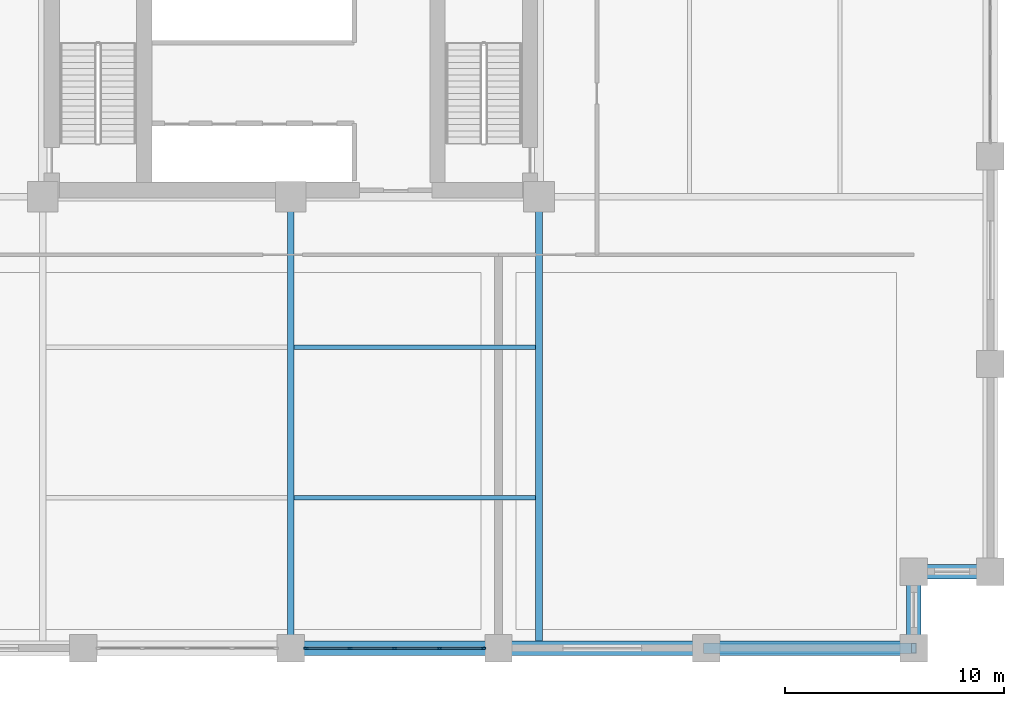
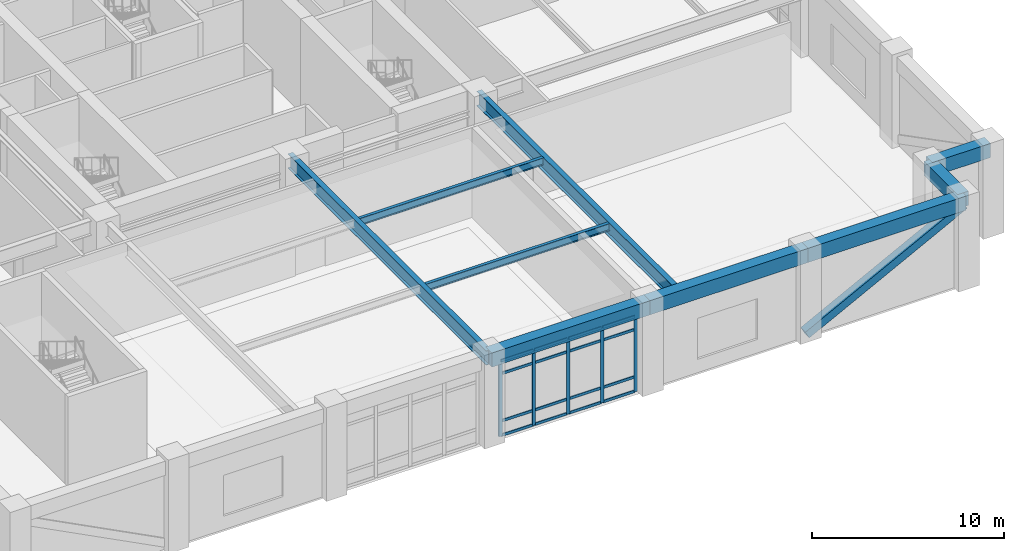
# One storey, part 4 of 21: 22 members, 9 beams, 1 element without a shape of its own.
"""IFC4 building model written with IfcOpenShell, lengths in metres."""

import ifcopenshell
import ifcopenshell.guid

model = None  # the IFC model being written
_history = None  # IfcOwnerHistory: only IFC2X3 demands one
_inside = {}  # id of a spatial element -> (the spatial element, [elements in it])
_under = {}  # id of a project, library or spatial element -> (it, [spatial elements below it])
_declared = {}  # id of a project -> (the project, [libraries it declares])
_typed = {}  # id of a type object -> (the type object, [elements of that type])
_made_of = {}  # id of a material, layer set ... -> (it, [elements and type objects made of it])


def new_model(schema):
    """Start an empty IFC model of exactly this schema.

    Asked for "IFC4X3", IfcOpenShell would pick the latest addendum, in which some entities
    have other attributes; the version numbers below select the first issue.
    IFC2X3 requires an IfcOwnerHistory on every rooted entity: one is made here for all.
    """
    global model, _history
    if schema == "IFC4X3":
        model = ifcopenshell.file(schema_version=(4, 3, 0, 0))
    else:
        model = ifcopenshell.file(schema=schema)
    _inside.clear()
    _under.clear()
    _declared.clear()
    _typed.clear()
    _made_of.clear()
    _history = None
    if model.schema == "IFC2X3":
        org = make("IfcOrganization", Name="unknown")
        user = make(
            "IfcPersonAndOrganization",
            ThePerson=make("IfcPerson", FamilyName="unknown"),
            TheOrganization=org,
        )
        app = make(
            "IfcApplication",
            ApplicationDeveloper=org,
            Version="unknown",
            ApplicationFullName="unknown",
            ApplicationIdentifier="unknown",
        )
        _history = make(
            "IfcOwnerHistory",
            OwningUser=user,
            OwningApplication=app,
            ChangeAction="ADDED",
            CreationDate=0,
        )
    return model


def make(cls, **values):
    """One entity of the class cls with the attributes given. An attribute that is None is left unset."""
    return model.create_entity(
        cls, **{name: value for name, value in values.items() if value is not None}
    )


def rooted(cls, **values):
    """An entity with a GlobalId (a new one), such as an element, a storey or a relation."""
    return make(cls, GlobalId=ifcopenshell.guid.new(), OwnerHistory=_history, **values)


def si_unit(unit_type, name, prefix=None):
    """IfcSIUnit, for example si_unit("LENGTHUNIT", "METRE", prefix="MILLI")."""
    return make("IfcSIUnit", UnitType=unit_type, Prefix=prefix, Name=name)


def assignment(units):
    """IfcUnitAssignment: the units of a project."""
    return None if units is None else make("IfcUnitAssignment", Units=units)


def point(xyz):
    """IfcCartesianPoint."""
    return None if xyz is None else make("IfcCartesianPoint", Coordinates=xyz)


def direction(xyz):
    """IfcDirection."""
    return None if xyz is None else make("IfcDirection", DirectionRatios=xyz)


def frame(location, z_axis=None, x_axis=None):
    """IfcAxis2Placement3D, a coordinate frame: its origin and axes. An axis left out is left unset."""
    return make(
        "IfcAxis2Placement3D",
        Location=point(location),
        Axis=direction(z_axis),
        RefDirection=direction(x_axis),
    )


def frame_2d(location, x_axis=None):
    """IfcAxis2Placement2D, a coordinate frame in the plane: its origin and x axis."""
    return make(
        "IfcAxis2Placement2D", Location=point(location), RefDirection=direction(x_axis)
    )


def origin():
    """The frame at (0, 0, 0) with its axes left unset."""
    return frame((0.0, 0.0, 0.0))


def origin_2d():
    """The frame at (0, 0) in the plane with its x axis left unset."""
    return frame_2d((0.0, 0.0))


def place(relative_to, where):
    """IfcLocalPlacement: puts the frame where relative to a parent placement (None: the world)."""
    return make(
        "IfcLocalPlacement", PlacementRelTo=relative_to, RelativePlacement=where
    )


def context(
    kind, dimensions, precision=None, world=None, true_north=None, identifier=None
):
    """IfcGeometricRepresentationContext, for example the 3D "Model" context."""
    return make(
        "IfcGeometricRepresentationContext",
        ContextIdentifier=identifier,
        ContextType=kind,
        CoordinateSpaceDimension=dimensions,
        Precision=precision,
        WorldCoordinateSystem=world,
        TrueNorth=true_north,
    )


def subcontext(parent, identifier, kind, view, scale=None):
    """IfcGeometricRepresentationSubContext, for example "Body" below "Model"."""
    return make(
        "IfcGeometricRepresentationSubContext",
        ContextIdentifier=identifier,
        ContextType=kind,
        ParentContext=parent,
        TargetScale=scale,
        TargetView=view,
    )


def project(units=None, contexts=None):
    """IfcProject with its units and contexts."""
    return rooted(
        "IfcProject",
        Name="project",
        RepresentationContexts=contexts,
        UnitsInContext=assignment(units),
    )


def spatial(cls, under=None, at=None, **own):
    """A site, building, storey or space (cls), placed at a placement, below another one or the project."""
    s = rooted(cls, ObjectPlacement=at, **own)
    if under is not None:
        _under.setdefault(under.id(), (under, []))[1].append(s)
    return s


def profile(cls, at=None, kind="AREA", **sizes):
    """A parametric profile (cls). Its sizes go by their IFC names, for example OverallWidth=200.0."""
    return make(cls, ProfileType=kind, Position=at, **sizes)


def rectangle(**sizes):
    """IfcRectangleProfileDef."""
    return profile("IfcRectangleProfileDef", **sizes)


def hollow_rectangle(**sizes):
    """IfcRectangleHollowProfileDef."""
    return profile("IfcRectangleHollowProfileDef", **sizes)


def i_section(**sizes):
    """IfcIShapeProfileDef."""
    return profile("IfcIShapeProfileDef", **sizes)


def extrude(swept, where, along, depth):
    """IfcExtrudedAreaSolid: the profile swept, set in the frame where, extruded along a direction by depth."""
    return make(
        "IfcExtrudedAreaSolid",
        SweptArea=swept,
        Position=where,
        ExtrudedDirection=direction(along),
        Depth=depth,
    )


def shape(context_of_items, identifier, shape_type, items):
    """IfcShapeRepresentation: the items that make up one representation, for example the "Body"."""
    return make(
        "IfcShapeRepresentation",
        ContextOfItems=context_of_items,
        RepresentationIdentifier=identifier,
        RepresentationType=shape_type,
        Items=items,
    )


def material(Name=None, Category=None):
    """IfcMaterial."""
    return make("IfcMaterial", Name=Name, Category=Category)


def layer(
    of_material, thickness, ventilated=None, Name=None, Category=None, Priority=None
):
    """IfcMaterialLayer: one layer of a wall or slab, of a material (None: an air gap)."""
    return make(
        "IfcMaterialLayer",
        Material=of_material,
        LayerThickness=thickness,
        IsVentilated=ventilated,
        Name=Name,
        Category=Category,
        Priority=Priority,
    )


def layer_set(layers, Name=None):
    """IfcMaterialLayerSet."""
    return make("IfcMaterialLayerSet", MaterialLayers=layers, LayerSetName=Name)


def material_profile(
    of_material, cross_section, Name=None, Category=None, Priority=None
):
    """IfcMaterialProfile: a cross section and its material."""
    return make(
        "IfcMaterialProfile",
        Name=Name,
        Material=of_material,
        Profile=cross_section,
        Priority=Priority,
        Category=Category,
    )


def profile_set(profiles, Name=None, composite=None):
    """IfcMaterialProfileSet."""
    return make(
        "IfcMaterialProfileSet",
        Name=Name,
        MaterialProfiles=profiles,
        CompositeProfile=composite,
    )


def made_of(thing, what):
    """Note that an element or type object is made of a material, layer set ...; save() writes the relation."""
    if what is not None:
        _made_of.setdefault(what.id(), (what, []))[1].append(thing)
    return thing


def type_object(cls, material=None, **own):
    """A type object (cls), such as IfcWallType, which elements share."""
    return made_of(rooted(cls, **own), material)


def element(
    cls,
    number,
    at=None,
    inside=None,
    cuts=None,
    type_object=None,
    material=None,
    context=None,
    identifier="Body",
    shape_type=None,
    held_by="IfcProductDefinitionShape",
    body=None,
    shapes=None,
    **own,
):
    """One element of the class cls, such as IfcWall. Its Tag is "e" and its number.

    at: its placement. inside: the storey or other place that contains it. cuts: it is an
    opening in that element (IfcRelVoidsElement). A single representation is given by context,
    identifier, shape_type and body (its items); several are given by shapes. held_by: the class
    of the entity that holds the representations. save() writes the other relations.
    """
    e = rooted(cls, Tag="e%d" % number, ObjectPlacement=at, **own)
    if body is not None:
        shapes = [shape(context, identifier, shape_type, body)]
    if shapes is not None:
        e.Representation = make(held_by, Representations=shapes)
    if inside is not None:
        _inside.setdefault(inside.id(), (inside, []))[1].append(e)
    if cuts is not None:
        rooted(
            "IfcRelVoidsElement", RelatingBuildingElement=cuts, RelatedOpeningElement=e
        )
    if type_object is not None:
        _typed.setdefault(type_object.id(), (type_object, []))[1].append(e)
    return made_of(e, material)


def aggregate(whole, parts):
    """IfcRelAggregates: a whole, such as a stair, and the parts it consists of."""
    return rooted("IfcRelAggregates", RelatingObject=whole, RelatedObjects=parts)


def save(model, path):
    """Write the relations noted so far, then the file.

    IfcRelAggregates (storeys below a building ...), IfcRelContainedInSpatialStructure (elements
    in a storey), IfcRelDefinesByType, IfcRelAssociatesMaterial and IfcRelDeclares: one each for
    every whole, place, type object, material and project.
    """
    for whole, parts in _under.values():
        aggregate(whole, parts)
    for where, things in _inside.values():
        rooted(
            "IfcRelContainedInSpatialStructure",
            RelatedElements=things,
            RelatingStructure=where,
        )
    for kind, things in _typed.values():
        rooted("IfcRelDefinesByType", RelatedObjects=things, RelatingType=kind)
    for what, things in _made_of.values():
        rooted("IfcRelAssociatesMaterial", RelatedObjects=things, RelatingMaterial=what)
    for by, libraries in _declared.values():
        rooted("IfcRelDeclares", RelatingContext=by, RelatedDefinitions=libraries)
    model.write(path)


model = new_model("IFC4")

# Units and contexts
model_context = context("Model", 3, precision=1e-05, world=origin(), true_north=direction((0.0, 1.0)))
body_context = subcontext(model_context, "Body", "Model", "MODEL_VIEW")
ifc_project = project(units=[si_unit("LENGTHUNIT", "METRE"), si_unit("AREAUNIT", "SQUARE_METRE"), si_unit("VOLUMEUNIT", "CUBIC_METRE"), si_unit("PLANEANGLEUNIT", "RADIAN"), si_unit("MASSUNIT", "GRAM", prefix="KILO")], contexts=[model_context])

# Site, building, storey
site_placement = place(None, origin())
site = spatial("IfcSite", under=ifc_project, at=site_placement, CompositionType="ELEMENT")
building_placement = place(site_placement, origin())
building = spatial("IfcBuilding", under=site, at=building_placement, Name="Nhamokura Convention Tower", CompositionType="ELEMENT")
storey_placement = place(building_placement, frame((0.0, 0.0, 17.85009765625)))
storey = spatial("IfcBuildingStorey", under=building, at=storey_placement, Name="L03", CompositionType="ELEMENT", Elevation=17.85009765625)

# Curtain wall, members
ifc_material_1 = material(Name="Anodised bronze aluminium AA6063-T6", Category="aluminium")
ifc_layer = layer(ifc_material_1, 0.199951171875)
ifc_layer_set = layer_set([ifc_layer], Name="CWSystem_ConventionFoyer")
curtain_wall_type = type_object("IfcCurtainWallType", Name="CWSystem_ConventionFoyer", PredefinedType="NOTDEFINED", material=ifc_layer_set)
curtain_wall_placement = place(storey_placement, origin())
curtain_wall = element("IfcCurtainWall", 1, at=curtain_wall_placement, inside=storey, type_object=curtain_wall_type, Name="L03 Curtain Wall ENV-L03-CW-S3", PredefinedType="NOTDEFINED")
ifc_material_2 = material(Name="Anodised bronze aluminium AA6063-T6", Category="aluminium")
ifc_material_profile_1 = material_profile(ifc_material_2, rectangle(XDim=0.074951171875, YDim=0.199951171875, at=origin_2d()))
ifc_profile_set_1 = profile_set([ifc_material_profile_1], Name="Anodised bronze aluminium AA6063-T6")
member_type_1 = type_object("IfcMemberType", Name="CWMullion_2", PredefinedType="MULLION", material=ifc_profile_set_1)
member_1_placement = place(storey_placement, frame((40.8125, 0.0, 0.0), z_axis=(0.0, 0.0, 1.0), x_axis=(0.0, -1.0, 0.0)))
member_1 = element("IfcMember", 2, at=member_1_placement, type_object=member_type_1, Name="CW-02 mullion 1", PredefinedType="MULLION", context=body_context, shape_type="SweptSolid", body=[
    extrude(rectangle(XDim=0.074951171875, YDim=0.199951171875, at=origin_2d()), origin(), (0.0, 0.0, 1.0), 4.809814453125),
])
member_2_placement = place(storey_placement, frame((38.800048828125, 0.0, 0.0), z_axis=(0.0, 0.0, 1.0), x_axis=(0.0, -1.0, 0.0)))
member_2 = element("IfcMember", 3, at=member_2_placement, type_object=member_type_1, Name="CW-02 mullion 2", PredefinedType="MULLION", context=body_context, shape_type="SweptSolid", body=[
    extrude(rectangle(XDim=0.074951171875, YDim=0.199951171875, at=origin_2d()), origin(), (0.0, 0.0, 1.0), 4.809814453125),
])
member_3_placement = place(storey_placement, frame((36.75, 0.0, 0.0), z_axis=(0.0, 0.0, 1.0), x_axis=(0.0, -1.0, 0.0)))
member_3 = element("IfcMember", 4, at=member_3_placement, type_object=member_type_1, Name="CW-02 mullion 3", PredefinedType="MULLION", context=body_context, shape_type="SweptSolid", body=[
    extrude(rectangle(XDim=0.074951171875, YDim=0.199951171875, at=origin_2d()), origin(), (0.0, 0.0, 1.0), 4.809814453125),
])
member_4_placement = place(storey_placement, frame((34.699951171875, 0.0, 0.0), z_axis=(0.0, 0.0, 1.0), x_axis=(0.0, -1.0, 0.0)))
member_4 = element("IfcMember", 5, at=member_4_placement, type_object=member_type_1, Name="CW-02 mullion 4", PredefinedType="MULLION", context=body_context, shape_type="SweptSolid", body=[
    extrude(rectangle(XDim=0.074951171875, YDim=0.199951171875, at=origin_2d()), origin(), (0.0, 0.0, 1.0), 4.809814453125),
])
member_5_placement = place(storey_placement, frame((32.6875, 0.0, 0.0), z_axis=(0.0, 0.0, 1.0), x_axis=(0.0, -1.0, 0.0)))
member_5 = element("IfcMember", 6, at=member_5_placement, type_object=member_type_1, Name="CW-02 mullion 5", PredefinedType="MULLION", context=body_context, shape_type="SweptSolid", body=[
    extrude(rectangle(XDim=0.074951171875, YDim=0.199951171875, at=origin_2d()), origin(), (0.0, 0.0, 1.0), 4.809814453125),
])
ifc_material_3 = material(Name="Anodised bronze aluminium AA6063-T6", Category="aluminium")
ifc_material_profile_2 = material_profile(ifc_material_3, rectangle(XDim=0.074951171875, YDim=0.169921875, at=origin_2d()))
ifc_profile_set_2 = profile_set([ifc_material_profile_2], Name="Anodised bronze aluminium AA6063-T6")
member_type_2 = type_object("IfcMemberType", Name="CWTransom_2", PredefinedType="USERDEFINED", material=ifc_profile_set_2)
member_6_placement = place(storey_placement, frame((40.77490234375, 0.0, 0.037353515625), z_axis=(-1.0, 0.0, 0.0), x_axis=(0.0, -1.0, 0.0)))
member_6 = element("IfcMember", 7, at=member_6_placement, type_object=member_type_2, Name="CW-02 transom 1.1", ObjectType="TRANSOM", PredefinedType="USERDEFINED", context=body_context, shape_type="SweptSolid", body=[
    extrude(rectangle(XDim=0.074951171875, YDim=0.169921875, at=origin_2d()), origin(), (0.0, 0.0, 1.0), 1.9375),
])
member_7_placement = place(storey_placement, frame((40.77490234375, 0.0, 0.949951171875), z_axis=(-1.0, 0.0, 0.0), x_axis=(0.0, -1.0, 0.0)))
member_7 = element("IfcMember", 8, at=member_7_placement, type_object=member_type_2, Name="CW-02 transom 1.2", ObjectType="TRANSOM", PredefinedType="USERDEFINED", context=body_context, shape_type="SweptSolid", body=[
    extrude(rectangle(XDim=0.074951171875, YDim=0.169921875, at=origin_2d()), origin(), (0.0, 0.0, 1.0), 1.9375),
])
member_8_placement = place(storey_placement, frame((40.77490234375, 0.0, 3.9599609375), z_axis=(-1.0, 0.0, 0.0), x_axis=(0.0, -1.0, 0.0)))
member_8 = element("IfcMember", 9, at=member_8_placement, type_object=member_type_2, Name="CW-02 transom 1.3", ObjectType="TRANSOM", PredefinedType="USERDEFINED", context=body_context, shape_type="SweptSolid", body=[
    extrude(rectangle(XDim=0.074951171875, YDim=0.169921875, at=origin_2d()), origin(), (0.0, 0.0, 1.0), 1.9375),
])
member_9_placement = place(storey_placement, frame((40.77490234375, 0.0, 4.7724609375), z_axis=(-1.0, 0.0, 0.0), x_axis=(0.0, -1.0, 0.0)))
member_9 = element("IfcMember", 10, at=member_9_placement, type_object=member_type_2, Name="CW-02 transom 1.4", ObjectType="TRANSOM", PredefinedType="USERDEFINED", context=body_context, shape_type="SweptSolid", body=[
    extrude(rectangle(XDim=0.074951171875, YDim=0.169921875, at=origin_2d()), origin(), (0.0, 0.0, 1.0), 1.9375),
])
member_10_placement = place(storey_placement, frame((38.762451171875, 0.0, 0.037353515625), z_axis=(-1.0, 0.0, 0.0), x_axis=(0.0, -1.0, 0.0)))
member_10 = element("IfcMember", 11, at=member_10_placement, type_object=member_type_2, Name="CW-02 transom 2.1", ObjectType="TRANSOM", PredefinedType="USERDEFINED", context=body_context, shape_type="SweptSolid", body=[
    extrude(rectangle(XDim=0.074951171875, YDim=0.169921875, at=origin_2d()), origin(), (0.0, 0.0, 1.0), 1.974853515625),
])
member_11_placement = place(storey_placement, frame((38.762451171875, 0.0, 0.949951171875), z_axis=(-1.0, 0.0, 0.0), x_axis=(0.0, -1.0, 0.0)))
member_11 = element("IfcMember", 12, at=member_11_placement, type_object=member_type_2, Name="CW-02 transom 2.2", ObjectType="TRANSOM", PredefinedType="USERDEFINED", context=body_context, shape_type="SweptSolid", body=[
    extrude(rectangle(XDim=0.074951171875, YDim=0.169921875, at=origin_2d()), origin(), (0.0, 0.0, 1.0), 1.974853515625),
])
member_12_placement = place(storey_placement, frame((38.762451171875, 0.0, 3.9599609375), z_axis=(-1.0, 0.0, 0.0), x_axis=(0.0, -1.0, 0.0)))
member_12 = element("IfcMember", 13, at=member_12_placement, type_object=member_type_2, Name="CW-02 transom 2.3", ObjectType="TRANSOM", PredefinedType="USERDEFINED", context=body_context, shape_type="SweptSolid", body=[
    extrude(rectangle(XDim=0.074951171875, YDim=0.169921875, at=origin_2d()), origin(), (0.0, 0.0, 1.0), 1.974853515625),
])
member_13_placement = place(storey_placement, frame((38.762451171875, 0.0, 4.7724609375), z_axis=(-1.0, 0.0, 0.0), x_axis=(0.0, -1.0, 0.0)))
member_13 = element("IfcMember", 14, at=member_13_placement, type_object=member_type_2, Name="CW-02 transom 2.4", ObjectType="TRANSOM", PredefinedType="USERDEFINED", context=body_context, shape_type="SweptSolid", body=[
    extrude(rectangle(XDim=0.074951171875, YDim=0.169921875, at=origin_2d()), origin(), (0.0, 0.0, 1.0), 1.974853515625),
])
member_14_placement = place(storey_placement, frame((36.71240234375, 0.0, 0.037353515625), z_axis=(-1.0, 0.0, 0.0), x_axis=(0.0, -1.0, 0.0)))
member_14 = element("IfcMember", 15, at=member_14_placement, type_object=member_type_2, Name="CW-02 transom 3.1", ObjectType="TRANSOM", PredefinedType="USERDEFINED", context=body_context, shape_type="SweptSolid", body=[
    extrude(rectangle(XDim=0.074951171875, YDim=0.169921875, at=origin_2d()), origin(), (0.0, 0.0, 1.0), 1.974853515625),
])
member_15_placement = place(storey_placement, frame((36.71240234375, 0.0, 0.949951171875), z_axis=(-1.0, 0.0, 0.0), x_axis=(0.0, -1.0, 0.0)))
member_15 = element("IfcMember", 16, at=member_15_placement, type_object=member_type_2, Name="CW-02 transom 3.2", ObjectType="TRANSOM", PredefinedType="USERDEFINED", context=body_context, shape_type="SweptSolid", body=[
    extrude(rectangle(XDim=0.074951171875, YDim=0.169921875, at=origin_2d()), origin(), (0.0, 0.0, 1.0), 1.974853515625),
])
member_16_placement = place(storey_placement, frame((36.71240234375, 0.0, 3.9599609375), z_axis=(-1.0, 0.0, 0.0), x_axis=(0.0, -1.0, 0.0)))
member_16 = element("IfcMember", 17, at=member_16_placement, type_object=member_type_2, Name="CW-02 transom 3.3", ObjectType="TRANSOM", PredefinedType="USERDEFINED", context=body_context, shape_type="SweptSolid", body=[
    extrude(rectangle(XDim=0.074951171875, YDim=0.169921875, at=origin_2d()), origin(), (0.0, 0.0, 1.0), 1.974853515625),
])
member_17_placement = place(storey_placement, frame((36.71240234375, 0.0, 4.7724609375), z_axis=(-1.0, 0.0, 0.0), x_axis=(0.0, -1.0, 0.0)))
member_17 = element("IfcMember", 18, at=member_17_placement, type_object=member_type_2, Name="CW-02 transom 3.4", ObjectType="TRANSOM", PredefinedType="USERDEFINED", context=body_context, shape_type="SweptSolid", body=[
    extrude(rectangle(XDim=0.074951171875, YDim=0.169921875, at=origin_2d()), origin(), (0.0, 0.0, 1.0), 1.974853515625),
])
member_18_placement = place(storey_placement, frame((34.66259765625, 0.0, 0.037353515625), z_axis=(-1.0, 0.0, 0.0), x_axis=(0.0, -1.0, 0.0)))
member_18 = element("IfcMember", 19, at=member_18_placement, type_object=member_type_2, Name="CW-02 transom 4.1", ObjectType="TRANSOM", PredefinedType="USERDEFINED", context=body_context, shape_type="SweptSolid", body=[
    extrude(rectangle(XDim=0.074951171875, YDim=0.169921875, at=origin_2d()), origin(), (0.0, 0.0, 1.0), 1.9375),
])
member_19_placement = place(storey_placement, frame((34.66259765625, 0.0, 0.949951171875), z_axis=(-1.0, 0.0, 0.0), x_axis=(0.0, -1.0, 0.0)))
member_19 = element("IfcMember", 20, at=member_19_placement, type_object=member_type_2, Name="CW-02 transom 4.2", ObjectType="TRANSOM", PredefinedType="USERDEFINED", context=body_context, shape_type="SweptSolid", body=[
    extrude(rectangle(XDim=0.074951171875, YDim=0.169921875, at=origin_2d()), origin(), (0.0, 0.0, 1.0), 1.9375),
])
member_20_placement = place(storey_placement, frame((34.66259765625, 0.0, 3.9599609375), z_axis=(-1.0, 0.0, 0.0), x_axis=(0.0, -1.0, 0.0)))
member_20 = element("IfcMember", 21, at=member_20_placement, type_object=member_type_2, Name="CW-02 transom 4.3", ObjectType="TRANSOM", PredefinedType="USERDEFINED", context=body_context, shape_type="SweptSolid", body=[
    extrude(rectangle(XDim=0.074951171875, YDim=0.169921875, at=origin_2d()), origin(), (0.0, 0.0, 1.0), 1.9375),
])
member_21_placement = place(storey_placement, frame((34.66259765625, 0.0, 4.7724609375), z_axis=(-1.0, 0.0, 0.0), x_axis=(0.0, -1.0, 0.0)))
member_21 = element("IfcMember", 22, at=member_21_placement, type_object=member_type_2, Name="CW-02 transom 4.4", ObjectType="TRANSOM", PredefinedType="USERDEFINED", context=body_context, shape_type="SweptSolid", body=[
    extrude(rectangle(XDim=0.074951171875, YDim=0.169921875, at=origin_2d()), origin(), (0.0, 0.0, 1.0), 1.9375),
])
aggregate(curtain_wall, [member_1, member_2, member_3, member_4, member_5, member_6, member_7, member_8, member_9, member_10, member_11, member_12, member_13, member_14, member_15, member_16, member_17, member_18, member_19, member_20, member_21])

# Beams
ifc_material_4 = material(Name="Steel ASTM A992 Gr 50", Category="steel")
ifc_material_profile_3 = material_profile(ifc_material_4, i_section(OverallWidth=0.19189453125, OverallDepth=0.462890625, WebThickness=0.010498046875, FlangeThickness=0.017578125, at=origin_2d()))
ifc_profile_set_3 = profile_set([ifc_material_profile_3], Name="Steel ASTM A992 Gr 50")
beam_type_1 = type_object("IfcBeamType", Name="FloorJoist_W460X89", PredefinedType="JOIST", material=ifc_profile_set_3)
for number, where, z_axis, x_axis, name in (
    (23, (32.152099609375, 6.88330078125, 5.478515625), (1.0, 0.0, 0.0), (0.0, 1.0, 0.0), "L03 Composite Floor Joist S1B"),
    (24, (32.152099609375, 13.7666015625, 5.478515625), (1.0, 0.0, 0.0), (0.0, 1.0, 0.0), "L03 Composite Floor Joist S2B"),
):
    element("IfcBeam", number, at=place(storey_placement, frame(where, z_axis=z_axis, x_axis=x_axis)), inside=storey, type_object=beam_type_1, Name=name, PredefinedType="JOIST", context=body_context, shape_type="SweptSolid", body=[
        extrude(i_section(OverallWidth=0.19189453125, OverallDepth=0.462890625, WebThickness=0.010498046875, FlangeThickness=0.017578125, at=origin_2d()), origin(), (0.0, 0.0, 1.0), 11.0458984375),
    ])
ifc_material_5 = material(Name="Steel ASTM A992 Gr 50", Category="steel")
ifc_material_profile_4 = material_profile(ifc_material_5, i_section(OverallWidth=0.30810546875, OverallDepth=0.927001953125, WebThickness=0.019287109375, FlangeThickness=0.031982421875, at=origin_2d()))
ifc_profile_set_4 = profile_set([ifc_material_profile_4], Name="Steel ASTM A992 Gr 50")
beam_type_2 = type_object("IfcBeamType", Name="HallGirder_W920X289", PredefinedType="BEAM", material=ifc_profile_set_4)
for number, where, z_axis, x_axis, name in (
    (25, (32.0, 0.0, 5.246337890625), (0.0, 1.0, 0.0), (-1.0, 0.0, 0.0), "L03 Primary Floor Girder PG-S2"),
    (26, (43.35009765625, 0.0, 5.246337890625), (0.0, 1.0, 0.0), (-1.0, 0.0, 0.0), "L03 Primary Floor Girder PG-S3"),
):
    element("IfcBeam", number, at=place(storey_placement, frame(where, z_axis=z_axis, x_axis=x_axis)), inside=storey, type_object=beam_type_2, Name=name, PredefinedType="BEAM", context=body_context, shape_type="SweptSolid", body=[
        extrude(i_section(OverallWidth=0.30810546875, OverallDepth=0.927001953125, WebThickness=0.019287109375, FlangeThickness=0.031982421875, at=origin_2d()), origin(), (0.0, 0.0, 1.0), 20.64990234375),
    ])

# Member
ifc_material_6 = material(Name="Steel ASTM A572 Gr 50", Category="steel")
ifc_material_profile_5 = material_profile(ifc_material_6, hollow_rectangle(XDim=0.5, YDim=0.5, WallThickness=0.02490234375, at=origin_2d()))
ifc_profile_set_5 = profile_set([ifc_material_profile_5], Name="Steel ASTM A572 Gr 50")
member_type_3 = type_object("IfcMemberType", Name="TubeBrace_HSS500", PredefinedType="BRACE", material=ifc_profile_set_5)
member_22_placement = place(storey_placement, frame((51.0, 0.0, 0.14990234375), z_axis=(0.888365692966, 0.0, 0.459136576152), x_axis=(0.0, 1.0, 0.0)))
element("IfcMember", 27, at=member_22_placement, inside=storey, type_object=member_type_3, Name="L03 Perimeter Tube Brace SOUTH Bay 5", PredefinedType="BRACE", context=body_context, shape_type="SweptSolid", body=[
    extrude(hollow_rectangle(XDim=0.5, YDim=0.5, WallThickness=0.02490234375, at=origin_2d()), origin(), (0.0, 0.0, 1.0), 10.69384765625),
])

# Beams
ifc_material_7 = material(Name="Concrete C60/75", Category="concrete")
ifc_material_profile_6 = material_profile(ifc_material_7, rectangle(XDim=0.64990234375, YDim=0.89990234375, at=origin_2d()))
ifc_profile_set_6 = profile_set([ifc_material_profile_6], Name="Concrete C60/75")
beam_type_3 = type_object("IfcBeamType", Name="TubeSpandrel_900", PredefinedType="SPANDREL", material=ifc_profile_set_6)
for number, where, z_axis, x_axis, name in (
    (28, (32.0, 0.0, 5.260009765625), (1.0, 0.0, 0.0), (0.0, 1.0, 0.0), "L03 Perimeter Spandrel SOUTH 4"),
    (29, (41.5, 0.0, 5.260009765625), (1.0, 0.0, 0.0), (0.0, 1.0, 0.0), "L03 Perimeter Spandrel SOUTH 5"),
    (30, (51.0, 0.0, 5.260009765625), (1.0, 0.0, 0.0), (0.0, 1.0, 0.0), "L03 Perimeter Spandrel SOUTH 6"),
):
    element("IfcBeam", number, at=place(storey_placement, frame(where, z_axis=z_axis, x_axis=x_axis)), inside=storey, type_object=beam_type_3, Name=name, PredefinedType="SPANDREL", context=body_context, shape_type="SweptSolid", body=[
        extrude(rectangle(XDim=0.64990234375, YDim=0.89990234375, at=origin_2d()), origin(), (0.0, 0.0, 1.0), 9.5),
    ])
for number, where, z_axis, x_axis, name in (
    (31, (60.5, 0.0, 5.260009765625), (0.0, 1.0, 0.0), (-1.0, 0.0, 0.0), "L03 Notch Spandrel SE1"),
    (32, (60.5, 3.5, 5.260009765625), (1.0, 0.0, 0.0), (0.0, 1.0, 0.0), "L03 Notch Spandrel SE2"),
):
    element("IfcBeam", number, at=place(storey_placement, frame(where, z_axis=z_axis, x_axis=x_axis)), inside=storey, type_object=beam_type_3, Name=name, PredefinedType="SPANDREL", context=body_context, shape_type="SweptSolid", body=[
        extrude(rectangle(XDim=0.64990234375, YDim=0.89990234375, at=origin_2d()), origin(), (0.0, 0.0, 1.0), 3.5),
    ])

save(model, "model.ifc")
